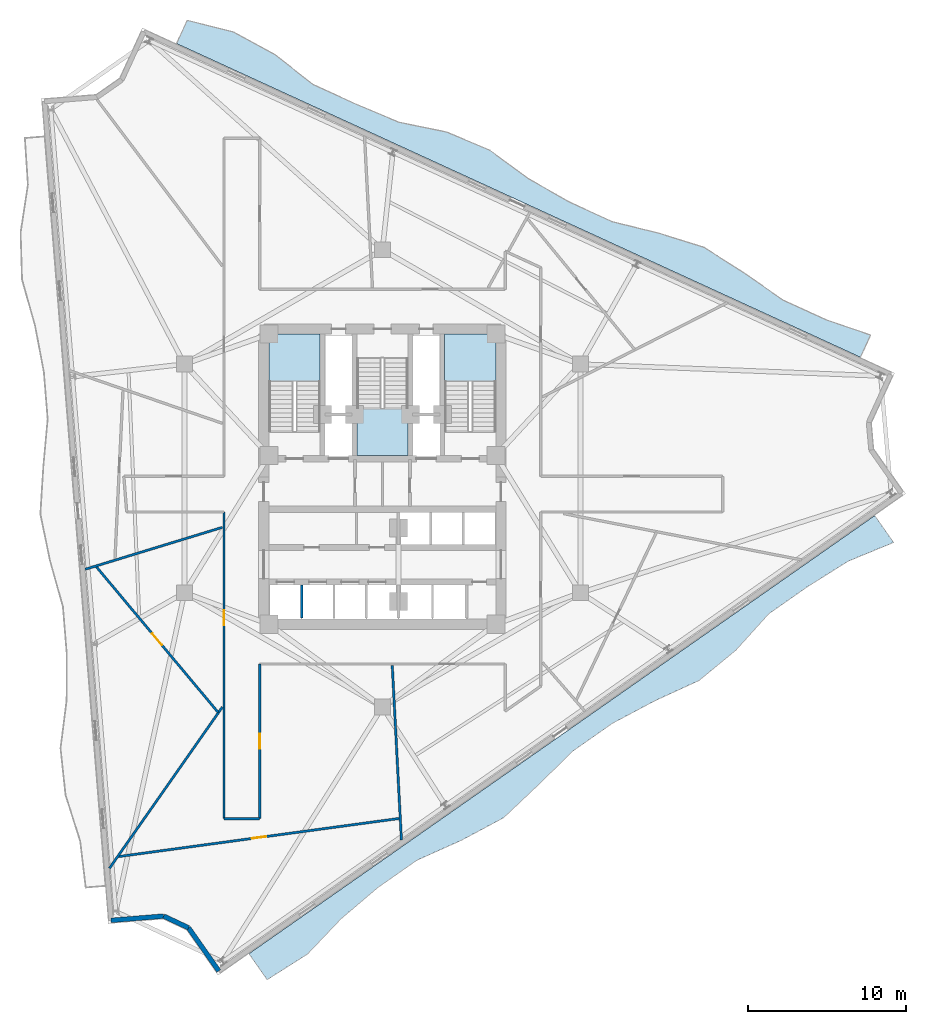
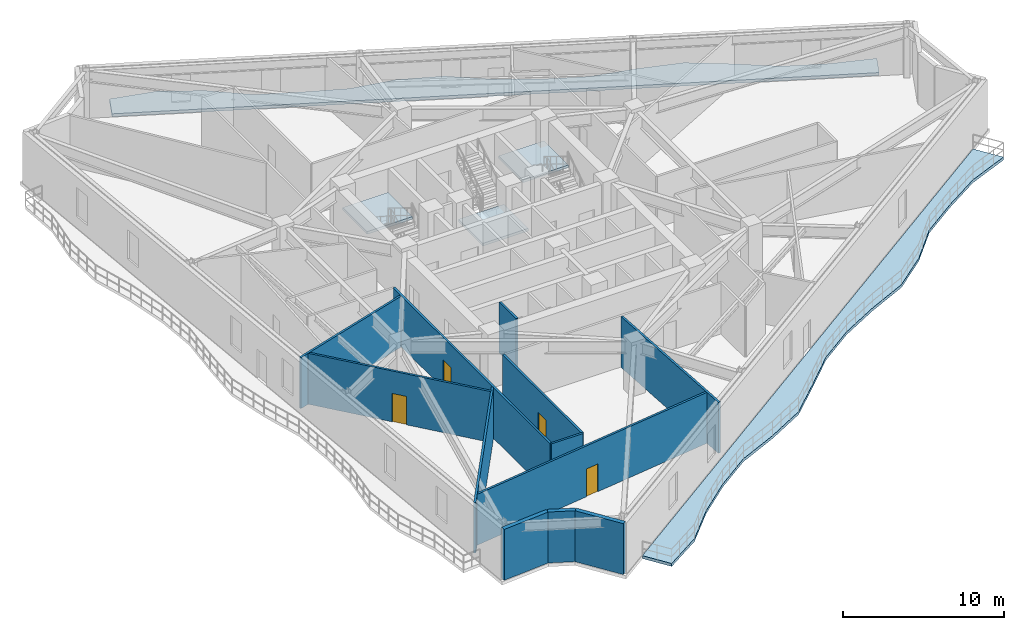
# One storey, part 4 of 12: 12 walls, 5 slabs, 4 doors, 4 openings, 3 elements without a shape of their own.
"""IFC4 building model written with IfcOpenShell, lengths in metres."""

from ifc_helpers import new_model, si_unit, direction, frame, frame_2d, origin, place, context, subcontext, project, spatial, polyline, rectangle, outline, extrude, material, layer, layer_set, type_object, element, fill, aggregate, save


model = new_model("IFC4")

# Units and contexts
model_context = context("Model", 3, precision=1e-05, world=origin(), true_north=direction((0.0, 1.0)))
body_context = subcontext(model_context, "Body", "Model", "MODEL_VIEW")
ifc_project = project(units=[si_unit("LENGTHUNIT", "METRE"), si_unit("AREAUNIT", "SQUARE_METRE"), si_unit("VOLUMEUNIT", "CUBIC_METRE"), si_unit("PLANEANGLEUNIT", "RADIAN"), si_unit("MASSUNIT", "GRAM", prefix="KILO")], contexts=[model_context])

# Site, building, storey
site_placement = place(None, origin())
site = spatial("IfcSite", under=ifc_project, at=site_placement, CompositionType="ELEMENT")
building_placement = place(site_placement, origin())
building = spatial("IfcBuilding", under=site, at=building_placement, Name="Apsidion Concourse Tower", CompositionType="ELEMENT")
storey_placement = place(building_placement, frame((0.0, 0.0, 198.300048828125)))
storey = spatial("IfcBuildingStorey", under=building, at=storey_placement, Name="L46", CompositionType="ELEMENT", Elevation=198.300048828125)

# Slabs
ifc_material_1 = material(Name="Concrete C50/60", Category="concrete")
ifc_layer_1 = layer(ifc_material_1, 0.219970703125)
ifc_layer_set_1 = layer_set([ifc_layer_1], Name="Concrete C50/60")
slab_type_1 = type_object("IfcSlabType", Name="SL-BAL-220", PredefinedType="FLOOR", material=ifc_layer_set_1)
slab_1_placement = place(storey_placement, frame((0.0, 0.0, -0.219970703125)))
element("IfcSlab", 1, at=slab_1_placement, inside=storey, type_object=slab_type_1, Name="L46 Face 2 Rippling Balcony Slab", PredefinedType="FLOOR", context=body_context, shape_type="SweptSolid", body=[
    extrude(outline(polyline([(-8.46728515625, -30.153564453125), (-5.986083984375, -28.416259765625), (-3.5048828125, -26.678955078125), (-1.023681640625, -24.941650390625), (1.457275390625, -23.204345703125), (3.9384765625, -21.467041015625), (6.419677734375, -19.729736328125), (8.90087890625, -17.992431640625), (11.3818359375, -16.255126953125), (13.863037109375, -14.517578125), (16.34423828125, -12.780517578125), (18.8251953125, -11.043212890625), (21.306396484375, -9.305908203125), (23.78759765625, -7.568603515625), (26.268798828125, -5.831298828125), (28.75, -4.093994140625), (31.23095703125, -2.356689453125), (32.427001953125, -4.064697265625), (29.556640625, -5.24609375), (26.985595703125, -6.85498046875), (24.504638671875, -8.59228515625), (22.4208984375, -10.8974609375), (20.073974609375, -12.826416015625), (17.275390625, -14.1103515625), (14.580078125, -15.541748046875), (12.098876953125, -17.279052734375), (9.90478515625, -19.426025390625), (7.6806640625, -21.530517578125), (4.989501953125, -22.968017578125), (2.17431640625, -24.228271484375), (-0.306884765625, -25.965576171875), (-2.62451171875, -27.9365234375), (-4.754150390625, -30.175537109375), (-7.314697265625, -31.7998046875), (-8.46728515625, -30.153564453125)])), origin(), (0.0, 0.0, 1.0), 0.219970703125),
])
slab_2_placement = place(storey_placement, frame((0.0, 0.0, -0.219970703125)))
element("IfcSlab", 2, at=slab_2_placement, inside=storey, type_object=slab_type_1, Name="L46 Face 3 Rippling Balcony Slab", PredefinedType="FLOOR", context=body_context, shape_type="SweptSolid", body=[
    extrude(outline(polyline([(30.32080078125, 7.6865234375), (27.609375, 8.93017578125), (24.898193359375, 10.174072265625), (22.186767578125, 11.417724609375), (19.475341796875, 12.661376953125), (16.76416015625, 13.9052734375), (14.052734375, 15.14892578125), (11.34130859375, 16.392578125), (8.630126953125, 17.636474609375), (5.918701171875, 18.880126953125), (3.20751953125, 20.123779296875), (0.49609375, 21.36767578125), (-2.215087890625, 22.611328125), (-4.926513671875, 23.85498046875), (-7.637939453125, 25.098876953125), (-10.34912109375, 26.342529296875), (-13.060546875, 27.586181640625), (-12.385498046875, 29.05810546875), (-9.443603515625, 28.317138671875), (-6.818603515625, 26.884521484375), (-4.4052734375, 24.991455078125), (-1.694091796875, 23.74755859375), (1.057373046875, 22.591064453125), (4.0576171875, 21.977294921875), (6.80859375, 20.8203125), (9.261962890625, 19.013671875), (11.862548828125, 17.52880859375), (14.573974609375, 16.28515625), (17.5224609375, 15.55810546875), (20.392578125, 14.660888671875), (22.931640625, 13.04150390625), (25.419189453125, 11.31005859375), (28.130615234375, 10.06640625), (30.967041015625, 9.09521484375), (30.32080078125, 7.6865234375)])), origin(), (0.0, 0.0, 1.0), 0.219970703125),
])

# Stair, slab
ifc_material_2 = material(Name="Precast concrete C40/50", Category="concrete")
stair_type = type_object("IfcStairType", Name="ST-DL-1550", PredefinedType="HALF_TURN_STAIR", material=ifc_material_2)
stair_1_placement = place(storey_placement, origin())
stair_1 = element("IfcStair", 3, at=stair_1_placement, inside=storey, type_object=stair_type, Name="L46 Protected Core Exit Stair ST1", PredefinedType="HALF_TURN_STAIR")
ifc_layer_2 = layer(ifc_material_1, 0.199951171875)
ifc_layer_set_2 = layer_set([ifc_layer_2], Name="Concrete C50/60")
slab_type_2 = type_object("IfcSlabType", Name="SL-ST-LAND-200", PredefinedType="LANDING", material=ifc_layer_set_2)
slab_3_placement = place(storey_placement, frame((0.0, 0.0, 1.849853515625)))
slab_3 = element("IfcSlab", 4, at=slab_3_placement, type_object=slab_type_2, Name="ST1 landing 1", PredefinedType="LANDING", context=body_context, shape_type="SweptSolid", body=[
    extrude(outline(polyline([(-3.949951171875, 6.135009765625), (-3.949951171875, 9.14990234375), (-7.199951171875, 9.14990234375), (-7.199951171875, 6.135009765625), (-3.949951171875, 6.135009765625)])), origin(), (0.0, 0.0, 1.0), 0.2001953125),
])
aggregate(stair_1, [slab_3])

stair_2_placement = place(storey_placement, origin())
stair_2 = element("IfcStair", 5, at=stair_2_placement, inside=storey, type_object=stair_type, Name="L46 Protected Core Exit Stair ST2", PredefinedType="HALF_TURN_STAIR")
slab_4_placement = place(storey_placement, frame((0.0, 0.0, 1.849853515625)))
slab_4 = element("IfcSlab", 6, at=slab_4_placement, type_object=slab_type_2, Name="ST2 landing 1", PredefinedType="LANDING", context=body_context, shape_type="SweptSolid", body=[
    extrude(outline(polyline([(7.199951171875, 6.135009765625), (7.199951171875, 9.14990234375), (3.949951171875, 9.14990234375), (3.949951171875, 6.135009765625), (7.199951171875, 6.135009765625)])), origin(), (0.0, 0.0, 1.0), 0.2001953125),
])
aggregate(stair_2, [slab_4])

stair_3_placement = place(storey_placement, origin())
stair_3 = element("IfcStair", 7, at=stair_3_placement, inside=storey, type_object=stair_type, Name="L46 Protected Core Exit Stair ST3", PredefinedType="HALF_TURN_STAIR")
slab_5_placement = place(storey_placement, frame((0.0, 0.0, 1.849853515625)))
slab_5 = element("IfcSlab", 8, at=slab_5_placement, type_object=slab_type_2, Name="ST3 landing 1", PredefinedType="LANDING", context=body_context, shape_type="SweptSolid", body=[
    extrude(outline(polyline([(-1.625, 4.465087890625), (-1.625, 1.449951171875), (1.625, 1.449951171875), (1.625, 4.465087890625), (-1.625, 4.465087890625)])), origin(), (0.0, 0.0, 1.0), 0.2001953125),
])
aggregate(stair_3, [slab_5])

# Walls
ifc_layer_3 = layer(ifc_material_2, 0.300048828125)
ifc_layer_set_3 = layer_set([ifc_layer_3], Name="Precast concrete C40/50")
wall_type_1 = type_object("IfcWallType", Name="WL-EXT-300", PredefinedType="STANDARD", material=ifc_layer_set_3)
wall_1_placement = place(storey_placement, frame((-10.384033203125, -31.251708984375, 0.0), z_axis=(0.0, 0.0, 1.0), x_axis=(-0.573550493689, 0.819170208925, 0.0)))
element("IfcWall", 9, at=wall_1_placement, inside=storey, type_object=wall_type_1, Name="L46 Precast Stone Facade Wall 06", PredefinedType="STANDARD", context=body_context, shape_type="SweptSolid", body=[
    extrude(rectangle(XDim=3.345703125, YDim=0.300048828125, at=frame_2d((1.6728515625, 0.0))), origin(), (0.0, 0.0, 1.0), 3.849853515625),
])
wall_2_placement = place(storey_placement, frame((-12.302978515625, -28.510986328125, 0.0), z_axis=(0.0, 0.0, 1.0), x_axis=(-0.904974111733, 0.425466634523, 0.0)))
element("IfcWall", 10, at=wall_2_placement, inside=storey, type_object=wall_type_1, Name="L46 Precast Stone Facade Wall 07", PredefinedType="STANDARD", context=body_context, shape_type="SweptSolid", body=[
    extrude(rectangle(XDim=1.743896484375, YDim=0.300048828125, at=frame_2d((0.8720703125, 0.0))), origin(), (0.0, 0.0, 1.0), 3.849853515625),
])
wall_3_placement = place(storey_placement, frame((-13.881103515625, -27.76904296875, 0.0), z_axis=(0.0, 0.0, 1.0), x_axis=(-0.996720145674, -0.080925590567, 0.0)))
element("IfcWall", 11, at=wall_3_placement, inside=storey, type_object=wall_type_1, Name="L46 Precast Stone Facade Wall 08", PredefinedType="STANDARD", context=body_context, shape_type="SweptSolid", body=[
    extrude(rectangle(XDim=3.345703125, YDim=0.300048828125, at=frame_2d((1.6728515625, 0.0))), origin(), (0.0, 0.0, 1.0), 3.849853515625),
])
ifc_material_3 = material(Name="Gypsum plasterboard partition")
ifc_layer_4 = layer(ifc_material_3, 0.14990234375)
ifc_layer_set_4 = layer_set([ifc_layer_4], Name="Gypsum plasterboard partition")
wall_type_2 = type_object("IfcWallType", Name="WL-INT-PAR-150", PredefinedType="PARTITIONING", material=ifc_layer_set_4)
wall_4_placement = place(storey_placement, frame((-5.125, -8.85009765625, 0.0), z_axis=(0.0, 0.0, 1.0), x_axis=(0.0, 1.0, 0.0)))
element("IfcWall", 12, at=wall_4_placement, inside=storey, type_object=wall_type_2, Name="L46 Interior Partition WL-L46-B2DIV-1", PredefinedType="PARTITIONING", context=body_context, shape_type="SweptSolid", body=[
    extrude(rectangle(XDim=2.080078125, YDim=0.14990234375, at=frame_2d((1.0400390625, 0.0))), origin(), (0.0, 0.0, 1.0), 3.849853515625),
])

# Wall, opening, door
wall_5_placement = place(storey_placement, frame((-7.7900390625, -11.77490234375, 0.0), z_axis=(0.0, 0.0, 1.0), x_axis=(0.0, -1.0, 0.0)))
wall_5 = element("IfcWall", 13, at=wall_5_placement, inside=storey, type_object=wall_type_2, Name="L46 Interior Partition WL-L46-CORR-04", PredefinedType="PARTITIONING", context=body_context, shape_type="SweptSolid", body=[
    extrude(rectangle(XDim=9.80517578125, YDim=0.14990234375, at=frame_2d((4.902587890625, 0.0))), origin(), (0.0, 0.0, 1.0), 3.849853515625),
])
opening_1_placement = place(wall_5_placement, frame((4.427490234375, 0.0, 0.0)))
opening_1 = element("IfcOpeningElement", 14, at=opening_1_placement, cuts=wall_5, Name="Opening D-01R", PredefinedType="OPENING", context=body_context, shape_type="SweptSolid", body=[
    extrude(rectangle(XDim=0.949951171875, YDim=2.14990234375, at=frame_2d((0.47509765625, 1.074951171875))), frame((0.0, 0.0849609375, 0.0), z_axis=(0.0, -1.0, 0.0), x_axis=(1.0, 0.0, 0.0)), (0.0, 0.0, 1.0), 0.169921875),
])
ifc_material_4 = material(Name="Brushed stainless steel 316", Category="steel")
door_type_1 = type_object("IfcDoorType", Name="DR-INT-D01R", OperationType="SINGLE_SWING_RIGHT", PredefinedType="DOOR", material=ifc_material_4)
door_1_placement = place(opening_1_placement, origin())
door_1 = element("IfcDoor", 15, at=door_1_placement, inside=storey, type_object=door_type_1, Name="L46 Corridor Entry Door 02", OperationType="SINGLE_SWING_RIGHT", OverallHeight=2.14990234375, OverallWidth=0.949951171875, PredefinedType="DOOR", context=body_context, shape_type="SweptSolid", body=[
    extrude(rectangle(XDim=0.949951171875, YDim=2.14990234375, at=frame_2d((0.47509765625, 1.074951171875))), frame((0.0, 0.02490234375, 0.0), z_axis=(0.0, -1.0, 0.0), x_axis=(1.0, 0.0, 0.0)), (0.0, 0.0, 1.0), 0.050048828125),
])
fill(opening_1, door_1)

# Wall
wall_6_placement = place(storey_placement, frame((-7.7900390625, -21.580078125, 0.0), z_axis=(0.0, 0.0, 1.0), x_axis=(-1.0, 0.0, 0.0)))
element("IfcWall", 16, at=wall_6_placement, inside=storey, type_object=wall_type_2, Name="L46 Interior Partition WL-L46-CORR-05", PredefinedType="PARTITIONING", context=body_context, shape_type="SweptSolid", body=[
    extrude(rectangle(XDim=2.260009765625, YDim=0.14990234375, at=frame_2d((1.1298828125, 0.0))), origin(), (0.0, 0.0, 1.0), 3.849853515625),
])

# Wall, opening, door
wall_7_placement = place(storey_placement, frame((-10.050048828125, -21.580078125, 0.0), z_axis=(0.0, 0.0, 1.0), x_axis=(0.0, 1.0, 0.0)))
wall_7 = element("IfcWall", 17, at=wall_7_placement, inside=storey, type_object=wall_type_2, Name="L46 Interior Partition WL-L46-CORR-06", PredefinedType="PARTITIONING", context=body_context, shape_type="SweptSolid", body=[
    extrude(rectangle(XDim=19.4501953125, YDim=0.14990234375, at=frame_2d((9.72509765625, 0.0))), origin(), (0.0, 0.0, 1.0), 3.849853515625),
])
opening_2_placement = place(wall_7_placement, frame((12.2744140625, 0.0, 0.0)))
opening_2 = element("IfcOpeningElement", 18, at=opening_2_placement, cuts=wall_7, Name="Opening D-01L", PredefinedType="OPENING", context=body_context, shape_type="SweptSolid", body=[
    extrude(rectangle(XDim=0.949951171875, YDim=2.14990234375, at=frame_2d((0.47509765625, 1.074951171875))), frame((0.0, 0.0849609375, 0.0), z_axis=(0.0, -1.0, 0.0), x_axis=(1.0, 0.0, 0.0)), (0.0, 0.0, 1.0), 0.169921875),
])
door_type_2 = type_object("IfcDoorType", Name="DR-INT-D01L", OperationType="SINGLE_SWING_LEFT", PredefinedType="DOOR", material=ifc_material_4)
door_2_placement = place(opening_2_placement, origin())
door_2 = element("IfcDoor", 19, at=door_2_placement, inside=storey, type_object=door_type_2, Name="L46 Corridor Entry Door 01", OperationType="SINGLE_SWING_LEFT", OverallHeight=2.14990234375, OverallWidth=0.949951171875, PredefinedType="DOOR", context=body_context, shape_type="SweptSolid", body=[
    extrude(rectangle(XDim=0.949951171875, YDim=2.14990234375, at=frame_2d((0.47509765625, 1.074951171875))), frame((0.0, 0.02490234375, 0.0), z_axis=(0.0, -1.0, 0.0), x_axis=(1.0, 0.0, 0.0)), (0.0, 0.0, 1.0), 0.050048828125),
])
fill(opening_2, door_2)

# Walls
wall_8_placement = place(storey_placement, frame((-10.155029296875, -3.104736328125, 0.0), z_axis=(0.0, 0.0, 1.0), x_axis=(-0.956309289752, -0.292356874955, 0.0)))
element("IfcWall", 20, at=wall_8_placement, inside=storey, type_object=wall_type_2, Name="L46 Interior Partition WL-L46-RAD-06-1", PredefinedType="PARTITIONING", context=body_context, shape_type="SweptSolid", body=[
    extrude(rectangle(XDim=9.1015625, YDim=0.14990234375, at=frame_2d((4.55078125, 0.0))), origin(), (0.0, 0.0, 1.0), 3.849853515625),
])
wall_9_placement = place(storey_placement, frame((-10.155029296875, -14.502685546875, 0.0), z_axis=(0.0, 0.0, 1.0), x_axis=(-0.573564669428, -0.819160283452, 0.0)))
element("IfcWall", 21, at=wall_9_placement, inside=storey, type_object=wall_type_2, Name="L46 Interior Partition WL-L46-RAD-07-1", PredefinedType="PARTITIONING", context=body_context, shape_type="SweptSolid", body=[
    extrude(rectangle(XDim=12.489501953125, YDim=0.14990234375, at=frame_2d((6.24462890625, 0.0))), origin(), (0.0, 0.0, 1.0), 3.849853515625),
])
wall_10_placement = place(storey_placement, frame((0.62255859375, -11.8798828125, 0.0), z_axis=(0.0, 0.0, 1.0), x_axis=(0.052343583117, -0.998629135018, 0.0)))
element("IfcWall", 22, at=wall_10_placement, inside=storey, type_object=wall_type_2, Name="L46 Interior Partition WL-L46-RAD-08-1", PredefinedType="PARTITIONING", context=body_context, shape_type="SweptSolid", body=[
    extrude(rectangle(XDim=11.07275390625, YDim=0.14990234375, at=frame_2d((5.536376953125, 0.0))), origin(), (0.0, 0.0, 1.0), 3.849853515625),
])

# Wall, opening, door
wall_11_placement = place(storey_placement, frame((-18.171142578125, -5.58154296875, 0.0), z_axis=(0.0, 0.0, 1.0), x_axis=(0.641611222981, -0.767030011502, 0.0)))
wall_11 = element("IfcWall", 23, at=wall_11_placement, inside=storey, type_object=wall_type_2, Name="L46 Interior Partition WL-L46-CHD-OFWC", PredefinedType="PARTITIONING", context=body_context, shape_type="SweptSolid", body=[
    extrude(rectangle(XDim=12.07470703125, YDim=0.14990234375, at=frame_2d((6.037353515625, 0.0))), origin(), (0.0, 0.0, 1.0), 3.849853515625),
])
opening_3_placement = place(wall_11_placement, frame((5.5625, 0.0, 0.0)))
opening_3 = element("IfcOpeningElement", 24, at=opening_3_placement, cuts=wall_11, Name="Opening D-04L", PredefinedType="OPENING", context=body_context, shape_type="SweptSolid", body=[
    extrude(rectangle(XDim=0.949951171875, YDim=2.14990234375, at=frame_2d((0.47509765625, 1.074951171875))), frame((0.0, 0.0849609375, 0.0), z_axis=(0.0, -1.0, 0.0), x_axis=(1.0, 0.0, 0.0)), (0.0, 0.0, 1.0), 0.169921875),
])
door_type_3 = type_object("IfcDoorType", Name="DR-INT-D04L", OperationType="SINGLE_SWING_LEFT", PredefinedType="DOOR", material=ifc_material_4)
door_3_placement = place(opening_3_placement, origin())
door_3 = element("IfcDoor", 25, at=door_3_placement, inside=storey, type_object=door_type_3, Name="L46 Suite Connecting Door OFWC", OperationType="SINGLE_SWING_LEFT", OverallHeight=2.14990234375, OverallWidth=0.949951171875, PredefinedType="DOOR", context=body_context, shape_type="SweptSolid", body=[
    extrude(rectangle(XDim=0.949951171875, YDim=2.14990234375, at=frame_2d((0.47509765625, 1.074951171875))), frame((0.0, 0.02490234375, 0.0), z_axis=(0.0, -1.0, 0.0), x_axis=(1.0, 0.0, 0.0)), (0.0, 0.0, 1.0), 0.050048828125),
])
fill(opening_3, door_3)

wall_12_placement = place(storey_placement, frame((-16.77099609375, -23.9951171875, 0.0), z_axis=(0.0, 0.0, 1.0), x_axis=(0.990900115412, 0.134599261795, 0.0)))
wall_12 = element("IfcWall", 26, at=wall_12_placement, inside=storey, type_object=wall_type_2, Name="L46 Interior Partition WL-L46-CHD-OFS01", PredefinedType="PARTITIONING", context=body_context, shape_type="SweptSolid", body=[
    extrude(rectangle(XDim=18.040283203125, YDim=0.14990234375, at=frame_2d((9.02001953125, 0.0))), origin(), (0.0, 0.0, 1.0), 3.849853515625),
])
opening_4_placement = place(wall_12_placement, frame((8.5703125, 0.0, 0.0)))
opening_4 = element("IfcOpeningElement", 27, at=opening_4_placement, cuts=wall_12, Name="Opening D-02R", PredefinedType="OPENING", context=body_context, shape_type="SweptSolid", body=[
    extrude(rectangle(XDim=0.89990234375, YDim=2.10009765625, at=frame_2d((0.449951171875, 1.050048828125))), frame((0.0, 0.0849609375, 0.0), z_axis=(0.0, -1.0, 0.0), x_axis=(1.0, 0.0, 0.0)), (0.0, 0.0, 1.0), 0.169921875),
])
ifc_material_5 = material(Name="Anodised aluminium EN AW-6063 T6", Category="aluminium")
door_type_4 = type_object("IfcDoorType", Name="DR-INT-D02R", OperationType="SINGLE_SWING_RIGHT", PredefinedType="DOOR", material=ifc_material_5)
door_4_placement = place(opening_4_placement, origin())
door_4 = element("IfcDoor", 28, at=door_4_placement, inside=storey, type_object=door_type_4, Name="L46 Suite Connecting Door OFS01", OperationType="SINGLE_SWING_RIGHT", OverallHeight=2.10009765625, OverallWidth=0.89990234375, PredefinedType="DOOR", context=body_context, shape_type="SweptSolid", body=[
    extrude(rectangle(XDim=0.89990234375, YDim=2.10009765625, at=frame_2d((0.449951171875, 1.050048828125))), frame((0.0, 0.02490234375, 0.0), z_axis=(0.0, -1.0, 0.0), x_axis=(1.0, 0.0, 0.0)), (0.0, 0.0, 1.0), 0.050048828125),
])
fill(opening_4, door_4)

save(model, "model.ifc")
